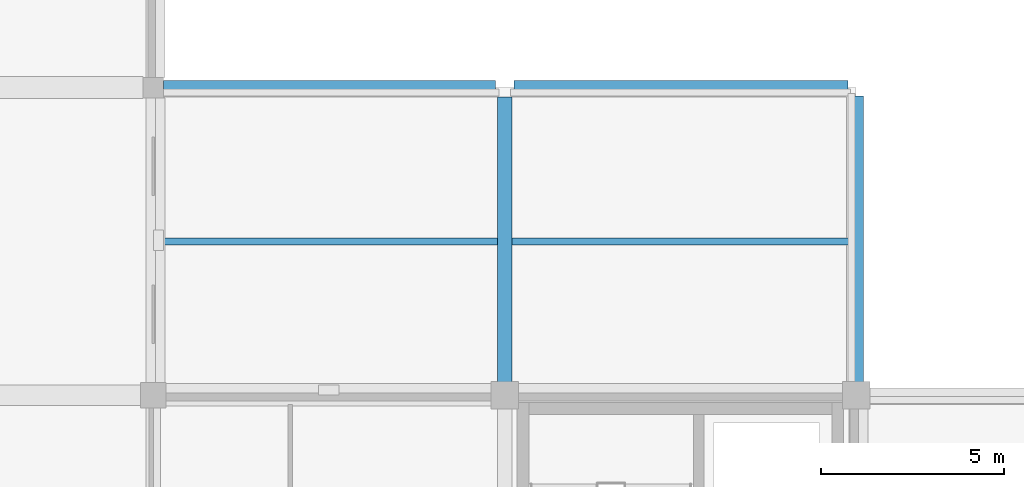
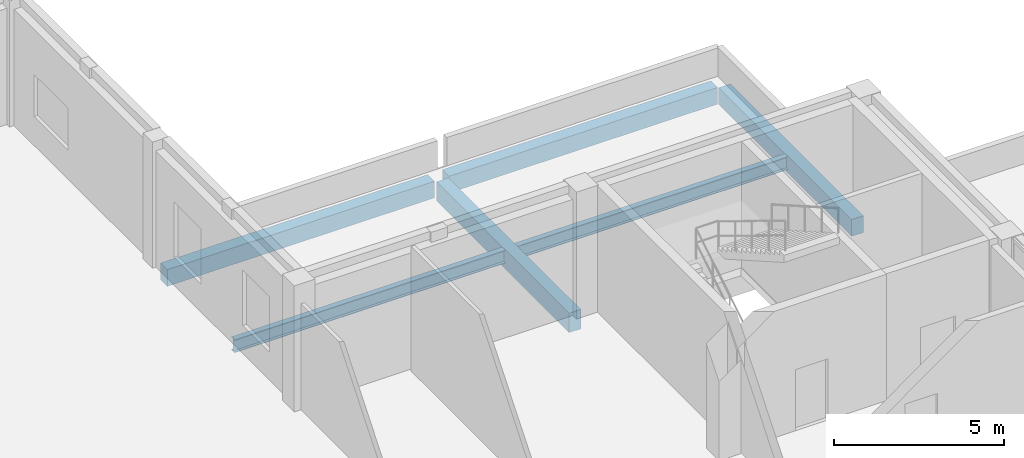
# One storey, part 60 of 88: 6 beams.
"""IFC4 building model written with IfcOpenShell, lengths in metres."""

from ifc_helpers import new_model, si_unit, direction, frame, origin, origin_2d, place, context, subcontext, project, spatial, rectangle, i_section, extrude, material, material_profile, profile_set, type_object, element, save


model = new_model("IFC4")

# Units and contexts
model_context = context("Model", 3, precision=1e-05, world=origin(), true_north=direction((0.0, 1.0)))
body_context = subcontext(model_context, "Body", "Model", "MODEL_VIEW")
ifc_project = project(units=[si_unit("LENGTHUNIT", "METRE"), si_unit("AREAUNIT", "SQUARE_METRE"), si_unit("VOLUMEUNIT", "CUBIC_METRE"), si_unit("PLANEANGLEUNIT", "RADIAN"), si_unit("MASSUNIT", "GRAM", prefix="KILO")], contexts=[model_context])

# Site, building, storey
site_placement = place(None, origin())
site = spatial("IfcSite", under=ifc_project, at=site_placement, CompositionType="ELEMENT")
building_placement = place(site_placement, origin())
building = spatial("IfcBuilding", under=site, at=building_placement, Name="Lornevale Opera House", CompositionType="ELEMENT")
storey_placement = place(building_placement, frame((0.0, 0.0, 10.199951171875)))
storey = spatial("IfcBuildingStorey", under=building, at=storey_placement, Name="L03", CompositionType="ELEMENT", Elevation=10.199951171875)

# Beams
ifc_material_1 = material(Name="Concrete 35 MPa (CSA A23.1 N)", Category="concrete")
ifc_material_profile_1 = material_profile(ifc_material_1, rectangle(XDim=0.39990234375, YDim=0.699951171875, at=origin_2d()), Name="RC400x700")
ifc_profile_set_1 = profile_set([ifc_material_profile_1], Name="Concrete 35 MPa (CSA A23.1 N)")
beam_type_1 = type_object("IfcBeamType", Name="Concrete Floor Beam 400x700", PredefinedType="USERDEFINED", material=ifc_profile_set_1)
beam_1_placement = place(storey_placement, frame((134.39990234375, 75.949951171875, -0.639892578125), z_axis=(0.0, 1.0, 0.0), x_axis=(-1.0, 0.0, 0.0)))
element("IfcBeam", 1, at=beam_1_placement, inside=storey, type_object=beam_type_1, Name="Concrete Floor Beam 400x700 2349", ObjectType="GIRDER", PredefinedType="USERDEFINED", context=body_context, shape_type="SweptSolid", body=[
    extrude(rectangle(XDim=0.39990234375, YDim=0.699951171875, at=origin_2d()), origin(), (0.0, 0.0, 1.0), 7.800048828125),
])
ifc_material_profile_2 = material_profile(ifc_material_1, rectangle(XDim=0.39990234375, YDim=0.60009765625, at=origin_2d()), Name="RC400x600")
ifc_profile_set_2 = profile_set([ifc_material_profile_2], Name="Concrete 35 MPa (CSA A23.1 N)")
beam_type_2 = type_object("IfcBeamType", Name="Concrete Spandrel Beam 400x600", PredefinedType="SPANDREL", material=ifc_profile_set_2)
beam_2_placement = place(storey_placement, frame((125.074951171875, 84.0, -0.58984375), z_axis=(1.0, 0.0, 0.0), x_axis=(0.0, 1.0, 0.0)))
element("IfcBeam", 2, at=beam_2_placement, inside=storey, type_object=beam_type_2, Name="Concrete Spandrel Beam 400x600 2199", PredefinedType="SPANDREL", context=body_context, shape_type="SweptSolid", body=[
    extrude(rectangle(XDim=0.39990234375, YDim=0.60009765625, at=origin_2d()), origin(), (0.0, 0.0, 1.0), 9.074951171875),
])
beam_3_placement = place(storey_placement, frame((134.64990234375, 84.0, -0.58984375), z_axis=(1.0, 0.0, 0.0), x_axis=(0.0, 1.0, 0.0)))
element("IfcBeam", 3, at=beam_3_placement, inside=storey, type_object=beam_type_2, Name="Concrete Spandrel Beam 400x600 2200", PredefinedType="SPANDREL", context=body_context, shape_type="SweptSolid", body=[
    extrude(rectangle(XDim=0.39990234375, YDim=0.60009765625, at=origin_2d()), origin(), (0.0, 0.0, 1.0), 9.125),
])
beam_4_placement = place(storey_placement, frame((144.0, 75.949951171875, -0.58984375), z_axis=(0.0, 1.0, 0.0), x_axis=(-1.0, 0.0, 0.0)))
element("IfcBeam", 4, at=beam_4_placement, inside=storey, type_object=beam_type_2, Name="Concrete Spandrel Beam 400x600 2358", PredefinedType="SPANDREL", context=body_context, shape_type="SweptSolid", body=[
    extrude(rectangle(XDim=0.39990234375, YDim=0.60009765625, at=origin_2d()), origin(), (0.0, 0.0, 1.0), 7.824951171875),
])
ifc_material_2 = material(Name="Structural Steel CSA G40.21 Grade 350W (350 MPa)", Category="steel")
ifc_material_profile_3 = material_profile(ifc_material_2, i_section(OverallWidth=0.19189453125, OverallDepth=0.462890625, WebThickness=0.010498046875, FlangeThickness=0.017578125, at=origin_2d()), Name="W460x89")
ifc_profile_set_3 = profile_set([ifc_material_profile_3], Name="Structural Steel CSA G40.21 Grade 350W (350 MPa)")
beam_type_3 = type_object("IfcBeamType", Name="Steel Floor Joist W460x89", PredefinedType="JOIST", material=ifc_profile_set_3)
for number, where, z_axis, x_axis, name in (
    (5, (125.0, 79.800048828125, -0.536376953125), (1.0, 0.0, 0.0), (0.0, 1.0, 0.0), "Steel Floor Joist W460x89 2444"),
    (6, (134.60009765625, 79.800048828125, -0.536376953125), (1.0, 0.0, 0.0), (0.0, 1.0, 0.0), "Steel Floor Joist W460x89 2451"),
):
    element("IfcBeam", number, at=place(storey_placement, frame(where, z_axis=z_axis, x_axis=x_axis)), inside=storey, type_object=beam_type_3, Name=name, PredefinedType="JOIST", context=body_context, shape_type="SweptSolid", body=[
        extrude(i_section(OverallWidth=0.19189453125, OverallDepth=0.462890625, WebThickness=0.010498046875, FlangeThickness=0.017578125, at=origin_2d()), origin(), (0.0, 0.0, 1.0), 9.199951171875),
    ])

save(model, "model.ifc")
